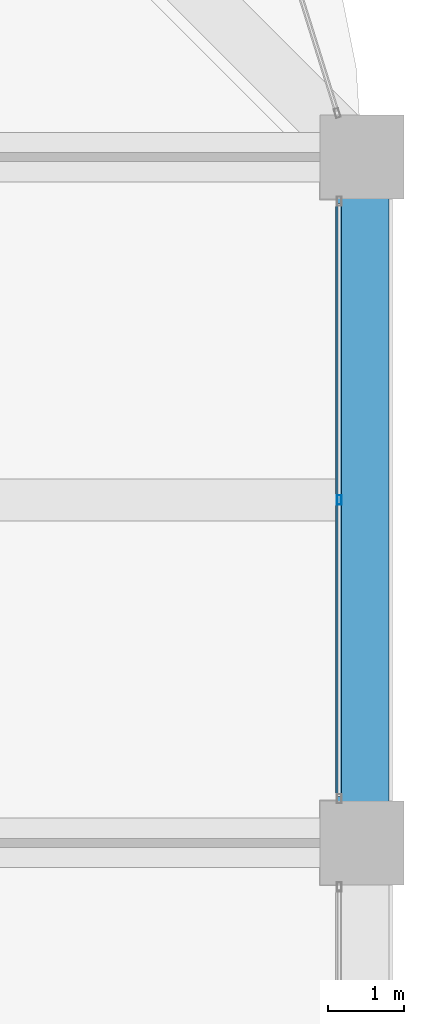
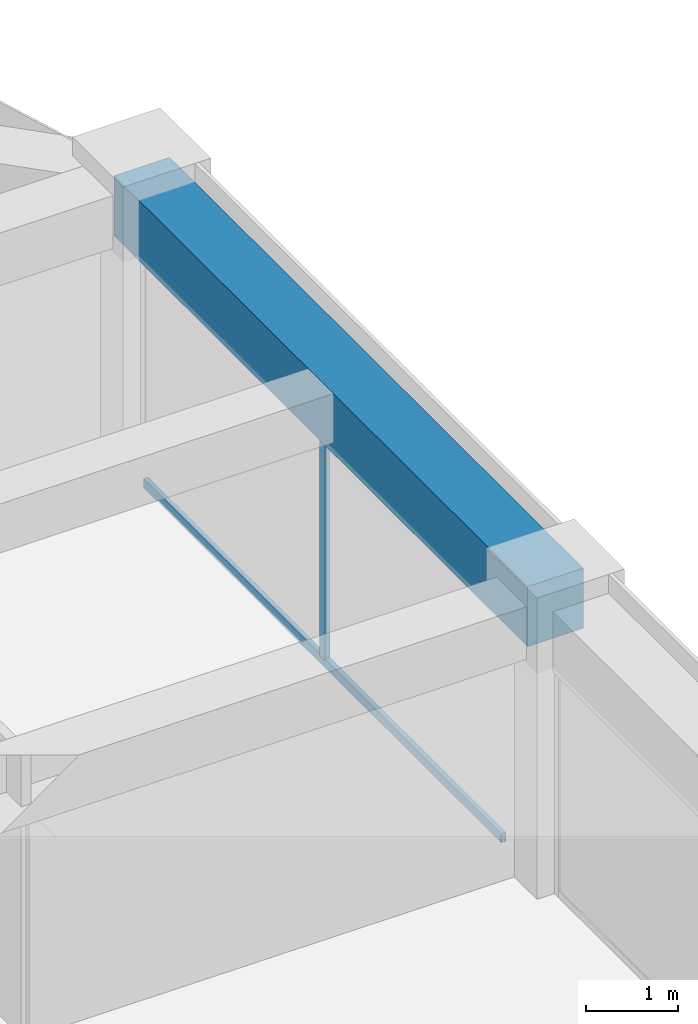
# One storey, part 27 of 44: 2 members, 1 beam, 1 element without a shape of its own.
"""IFC4 building model written with IfcOpenShell, lengths in metres."""

from ifc_helpers import new_model, si_unit, direction, frame, origin, origin_2d, place, context, subcontext, project, spatial, rectangle, hollow_rectangle, extrude, material, material_profile, profile_set, type_object, element, aggregate, save


model = new_model("IFC4")

# Units and contexts
model_context = context("Model", 3, precision=1e-05, world=origin(), true_north=direction((0.0, 1.0)))
body_context = subcontext(model_context, "Body", "Model", "MODEL_VIEW")
ifc_project = project(units=[si_unit("LENGTHUNIT", "METRE"), si_unit("AREAUNIT", "SQUARE_METRE"), si_unit("VOLUMEUNIT", "CUBIC_METRE"), si_unit("PLANEANGLEUNIT", "RADIAN"), si_unit("MASSUNIT", "GRAM", prefix="KILO")], contexts=[model_context])

# Site, building, storey
site_placement = place(None, origin())
site = spatial("IfcSite", under=ifc_project, at=site_placement, CompositionType="ELEMENT")
building_placement = place(site_placement, origin())
building = spatial("IfcBuilding", under=site, at=building_placement, Name="Zorevar Civic Tower", CompositionType="ELEMENT")
storey_placement = place(building_placement, frame((0.0, 0.0, 251.39990234375)))
storey = spatial("IfcBuildingStorey", under=building, at=storey_placement, Name="L61", CompositionType="ELEMENT", Elevation=251.39990234375)

# Curtain wall, members
ifc_material_1 = material(Name="Dark grey solar-control glass in black aluminium frame", Category="aluminium")
curtain_wall_type = type_object("IfcCurtainWallType", Name="Curtain wall CW5 top zone", PredefinedType="NOTDEFINED", material=ifc_material_1)
curtain_wall_placement = place(storey_placement, origin())
curtain_wall = element("IfcCurtainWall", 1, at=curtain_wall_placement, inside=storey, type_object=curtain_wall_type, Name="CW5 L61", PredefinedType="NOTDEFINED")
ifc_material_2 = material(Name="Aluminium, black anodised", Category="aluminium")
ifc_material_profile_1 = material_profile(ifc_material_2, hollow_rectangle(XDim=0.06005859375, YDim=0.1201171875, WallThickness=0.0029296875, at=origin_2d()), Name="AL 120x60x3")
ifc_profile_set_1 = profile_set([ifc_material_profile_1], Name="Aluminium, black anodised")
member_type_1 = type_object("IfcMemberType", Name="CW5 mullion AL 120x60x3", PredefinedType="MULLION", material=ifc_profile_set_1)
member_1_placement = place(storey_placement, frame((53.699951171875, 31.5, 0.06005859375), z_axis=(0.0, 0.0, 1.0), x_axis=(-1.0, 0.0, 0.0)))
member_1 = element("IfcMember", 2, at=member_1_placement, type_object=member_type_1, Name="CW5 mullion 2", PredefinedType="MULLION", context=body_context, shape_type="SweptSolid", body=[
    extrude(hollow_rectangle(XDim=0.06005859375, YDim=0.1201171875, WallThickness=0.0029296875, at=origin_2d()), origin(), (0.0, 0.0, 1.0), 2.89013671875),
])
ifc_material_3 = material(Name="Aluminium, black anodised", Category="aluminium")
ifc_material_profile_2 = material_profile(ifc_material_3, hollow_rectangle(XDim=0.06005859375, YDim=0.1201171875, WallThickness=0.0029296875, at=origin_2d()), Name="AL 120x60x3")
ifc_profile_set_2 = profile_set([ifc_material_profile_2], Name="Aluminium, black anodised")
member_type_2 = type_object("IfcMemberType", Name="CW5 transom AL 120x60x3", PredefinedType="USERDEFINED", material=ifc_profile_set_2)
member_2_placement = place(storey_placement, frame((53.699951171875, 27.610107421875, 0.030029296875), z_axis=(0.0, 1.0, 0.0), x_axis=(-1.0, 0.0, 0.0)))
member_2 = element("IfcMember", 3, at=member_2_placement, type_object=member_type_2, Name="CW5 sill transom", ObjectType="TRANSOM", PredefinedType="USERDEFINED", context=body_context, shape_type="SweptSolid", body=[
    extrude(hollow_rectangle(XDim=0.06005859375, YDim=0.1201171875, WallThickness=0.0029296875, at=origin_2d()), origin(), (0.0, 0.0, 1.0), 7.77978515625),
])
aggregate(curtain_wall, [member_1, member_2])

# Beam
ifc_material_4 = material(Name="Concrete C50/60", Category="concrete")
ifc_material_profile_3 = material_profile(ifc_material_4, rectangle(XDim=0.699951171875, YDim=0.800048828125, at=origin_2d()), Name="RC 700x800")
ifc_profile_set_3 = profile_set([ifc_material_profile_3], Name="Concrete C50/60")
beam_type = type_object("IfcBeamType", Name="Edge beam RC 700x800", PredefinedType="SPANDREL", material=ifc_profile_set_3)
beam_placement = place(storey_placement, frame((54.0, 27.0, 3.35009765625), z_axis=(0.0, 1.0, 0.0), x_axis=(-1.0, 0.0, 0.0)))
element("IfcBeam", 4, at=beam_placement, inside=storey, type_object=beam_type, Name="Edge beam L62", PredefinedType="SPANDREL", context=body_context, shape_type="SweptSolid", body=[
    extrude(rectangle(XDim=0.699951171875, YDim=0.800048828125, at=origin_2d()), origin(), (0.0, 0.0, 1.0), 9.0),
])

save(model, "model.ifc")
